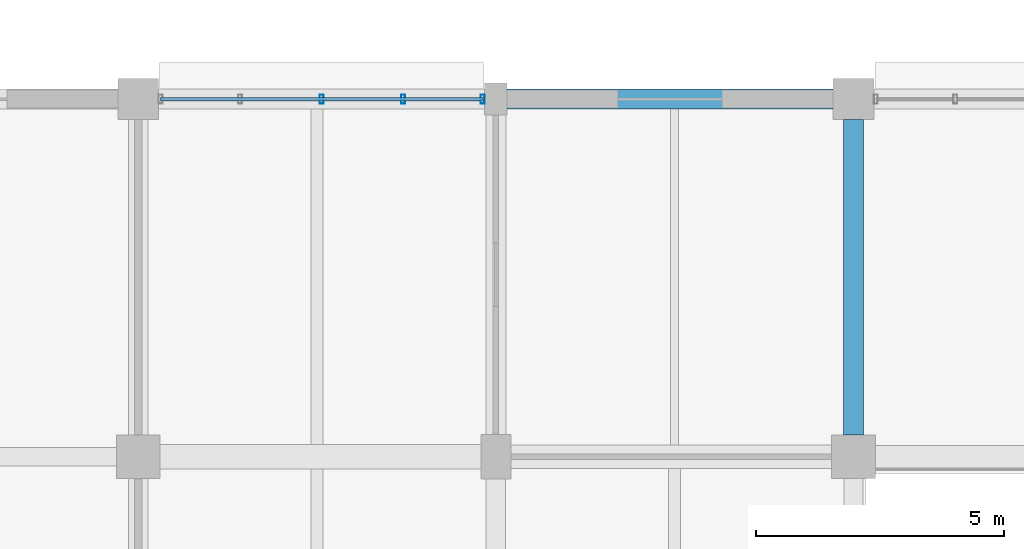
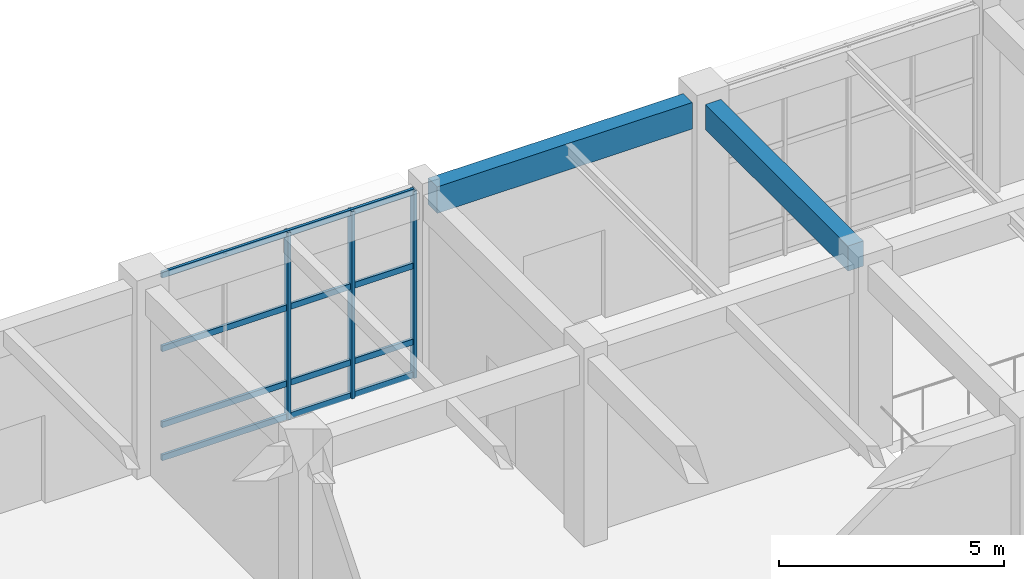
# One storey, part 107 of 160: 7 members, 2 beams, 1 element without a shape of its own.
"""IFC4 building model written with IfcOpenShell, lengths in metres."""

from ifc_helpers import new_model, si_unit, direction, frame, origin, origin_2d, place, context, subcontext, project, spatial, rectangle, hollow_rectangle, extrude, material, material_profile, profile_set, type_object, element, aggregate, save


model = new_model("IFC4")

# Units and contexts
model_context = context("Model", 3, precision=1e-05, world=origin(), true_north=direction((0.0, 1.0)))
body_context = subcontext(model_context, "Body", "Model", "MODEL_VIEW")
ifc_project = project(units=[si_unit("LENGTHUNIT", "METRE"), si_unit("AREAUNIT", "SQUARE_METRE"), si_unit("VOLUMEUNIT", "CUBIC_METRE"), si_unit("PLANEANGLEUNIT", "RADIAN"), si_unit("MASSUNIT", "GRAM", prefix="KILO")], contexts=[model_context])

# Site, building, storey
site_placement = place(None, origin())
site = spatial("IfcSite", under=ifc_project, at=site_placement, CompositionType="ELEMENT")
building_placement = place(site_placement, origin())
building = spatial("IfcBuilding", under=site, at=building_placement, Name="Thalmaran Polytechnic", CompositionType="ELEMENT")
storey_placement = place(building_placement, origin())
storey = spatial("IfcBuildingStorey", under=building, at=storey_placement, Name="L00", CompositionType="ELEMENT", Elevation=0.0)

# Beams
ifc_material_1 = material(Name="Concrete C40/50", Category="concrete")
ifc_material_profile_1 = material_profile(ifc_material_1, rectangle(XDim=0.39990234375, YDim=0.719970703125, at=origin_2d()), Name="RC 400x720")
ifc_profile_set_1 = profile_set([ifc_material_profile_1], Name="Concrete C40/50")
beam_type_1 = type_object("IfcBeamType", Name="BM-SP01", PredefinedType="SPANDREL", material=ifc_profile_set_1)
beam_1_placement = place(storey_placement, frame((144.22509765625, 122.39990234375, 4.72998046875), z_axis=(1.0, 0.0, 0.0), x_axis=(0.0, 1.0, 0.0)))
element("IfcBeam", 1, at=beam_1_placement, inside=storey, type_object=beam_type_1, Name="Grid Beam SP01 L00 X(20,17)", PredefinedType="SPANDREL", context=body_context, shape_type="SweptSolid", body=[
    extrude(rectangle(XDim=0.39990234375, YDim=0.719970703125, at=origin_2d()), origin(), (0.0, 0.0, 1.0), 6.56494140625),
])
ifc_material_profile_2 = material_profile(ifc_material_1, rectangle(XDim=0.39990234375, YDim=0.68505859375, at=origin_2d()), Name="RC 400x685")
ifc_profile_set_2 = profile_set([ifc_material_profile_2], Name="Concrete C40/50")
beam_type_2 = type_object("IfcBeamType", Name="BM-ZB07", PredefinedType="BEAM", material=ifc_profile_set_2)
beam_2_placement = place(storey_placement, frame((151.199951171875, 115.639892578125, 4.74755859375), z_axis=(0.0, 1.0, 0.0), x_axis=(-1.0, 0.0, 0.0)))
element("IfcBeam", 2, at=beam_2_placement, inside=storey, type_object=beam_type_2, Name="Grid Beam ZB07 L00 Y(21,16)", PredefinedType="BEAM", context=body_context, shape_type="SweptSolid", body=[
    extrude(rectangle(XDim=0.39990234375, YDim=0.68505859375, at=origin_2d()), origin(), (0.0, 0.0, 1.0), 6.35009765625),
])

# Curtain wall, members
ifc_material_2 = material(Name="Aluminium 6063-T6", Category="aluminium")
curtain_wall_type = type_object("IfcCurtainWallType", Name="CW-UC01", PredefinedType="USERDEFINED", material=ifc_material_2)
curtain_wall_placement = place(storey_placement, origin())
curtain_wall = element("IfcCurtainWall", 3, at=curtain_wall_placement, inside=storey, type_object=curtain_wall_type, Name="Curtain Wall CW-L00-011", ObjectType="UNITISED CURTAIN WALL", PredefinedType="USERDEFINED")
ifc_material_profile_3 = material_profile(ifc_material_2, hollow_rectangle(XDim=0.080078125, YDim=0.179931640625, WallThickness=0.0048828125, at=origin_2d()), Name="RHS 180x80x5.0")
ifc_profile_set_3 = profile_set([ifc_material_profile_3], Name="Aluminium 6063-T6")
member_type_1 = type_object("IfcMemberType", Name="CW-MUL1", PredefinedType="MULLION", material=ifc_profile_set_3)
member_1_placement = place(storey_placement, frame((140.492431640625, 122.39990234375, 0.0), z_axis=(0.0, 0.0, 1.0), x_axis=(1.0, 0.0, 0.0)))
member_1 = element("IfcMember", 4, at=member_1_placement, type_object=member_type_1, Name="CW-L00-011 Mullion 3", PredefinedType="MULLION", context=body_context, shape_type="SweptSolid", body=[
    extrude(hollow_rectangle(XDim=0.080078125, YDim=0.179931640625, WallThickness=0.0048828125, at=origin_2d()), origin(), (0.0, 0.0, 1.0), 5.090087890625),
])
member_2_placement = place(storey_placement, frame((142.1337890625, 122.39990234375, 0.0), z_axis=(0.0, 0.0, 1.0), x_axis=(1.0, 0.0, 0.0)))
member_2 = element("IfcMember", 5, at=member_2_placement, type_object=member_type_1, Name="CW-L00-011 Mullion 4", PredefinedType="MULLION", context=body_context, shape_type="SweptSolid", body=[
    extrude(hollow_rectangle(XDim=0.080078125, YDim=0.179931640625, WallThickness=0.0048828125, at=origin_2d()), origin(), (0.0, 0.0, 1.0), 5.090087890625),
])
member_3_placement = place(storey_placement, frame((143.735107421875, 122.39990234375, 0.0), z_axis=(0.0, 0.0, 1.0), x_axis=(1.0, 0.0, 0.0)))
member_3 = element("IfcMember", 6, at=member_3_placement, type_object=member_type_1, Name="CW-L00-011 Mullion 5", PredefinedType="MULLION", context=body_context, shape_type="SweptSolid", body=[
    extrude(hollow_rectangle(XDim=0.080078125, YDim=0.179931640625, WallThickness=0.0048828125, at=origin_2d()), origin(), (0.0, 0.0, 1.0), 5.090087890625),
])
ifc_material_profile_4 = material_profile(ifc_material_2, hollow_rectangle(XDim=0.070068359375, YDim=0.159912109375, WallThickness=0.00390625, at=origin_2d()), Name="AL 160x70x4.0")
ifc_profile_set_4 = profile_set([ifc_material_profile_4], Name="Aluminium 6063-T6")
member_type_2 = type_object("IfcMemberType", Name="CW-TRN1", PredefinedType="USERDEFINED", material=ifc_profile_set_4)
member_4_placement = place(storey_placement, frame((137.25, 122.39990234375, 0.06005859375), z_axis=(1.0, 0.0, 0.0), x_axis=(0.0, 1.0, 0.0)))
member_4 = element("IfcMember", 7, at=member_4_placement, type_object=member_type_2, Name="CW-L00-011 Transom 1", ObjectType="TRANSOM", PredefinedType="USERDEFINED", context=body_context, shape_type="SweptSolid", body=[
    extrude(hollow_rectangle(XDim=0.070068359375, YDim=0.159912109375, WallThickness=0.00390625, at=origin_2d()), origin(), (0.0, 0.0, 1.0), 6.485107421875),
])
member_5_placement = place(storey_placement, frame((137.25, 122.39990234375, 0.9599609375), z_axis=(1.0, 0.0, 0.0), x_axis=(0.0, 1.0, 0.0)))
member_5 = element("IfcMember", 8, at=member_5_placement, type_object=member_type_2, Name="CW-L00-011 Transom 2", ObjectType="TRANSOM", PredefinedType="USERDEFINED", context=body_context, shape_type="SweptSolid", body=[
    extrude(hollow_rectangle(XDim=0.070068359375, YDim=0.159912109375, WallThickness=0.00390625, at=origin_2d()), origin(), (0.0, 0.0, 1.0), 6.485107421875),
])
member_6_placement = place(storey_placement, frame((137.25, 122.39990234375, 3.02490234375), z_axis=(1.0, 0.0, 0.0), x_axis=(0.0, 1.0, 0.0)))
member_6 = element("IfcMember", 9, at=member_6_placement, type_object=member_type_2, Name="CW-L00-011 Transom 3", ObjectType="TRANSOM", PredefinedType="USERDEFINED", context=body_context, shape_type="SweptSolid", body=[
    extrude(hollow_rectangle(XDim=0.070068359375, YDim=0.159912109375, WallThickness=0.00390625, at=origin_2d()), origin(), (0.0, 0.0, 1.0), 6.485107421875),
])
member_7_placement = place(storey_placement, frame((137.25, 122.39990234375, 5.030029296875), z_axis=(1.0, 0.0, 0.0), x_axis=(0.0, 1.0, 0.0)))
member_7 = element("IfcMember", 10, at=member_7_placement, type_object=member_type_2, Name="CW-L00-011 Transom 4", ObjectType="TRANSOM", PredefinedType="USERDEFINED", context=body_context, shape_type="SweptSolid", body=[
    extrude(hollow_rectangle(XDim=0.070068359375, YDim=0.159912109375, WallThickness=0.00390625, at=origin_2d()), origin(), (0.0, 0.0, 1.0), 6.485107421875),
])
aggregate(curtain_wall, [member_1, member_2, member_3, member_4, member_5, member_6, member_7])

save(model, "model.ifc")
